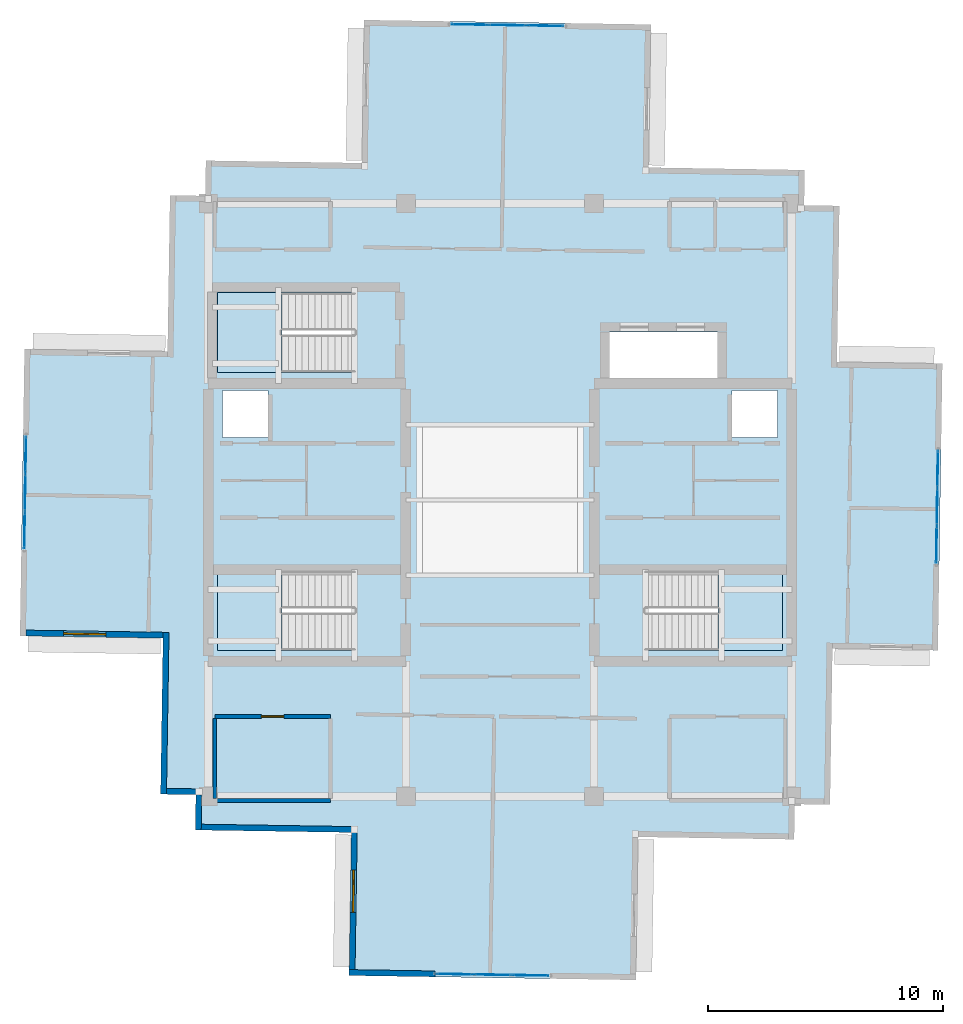
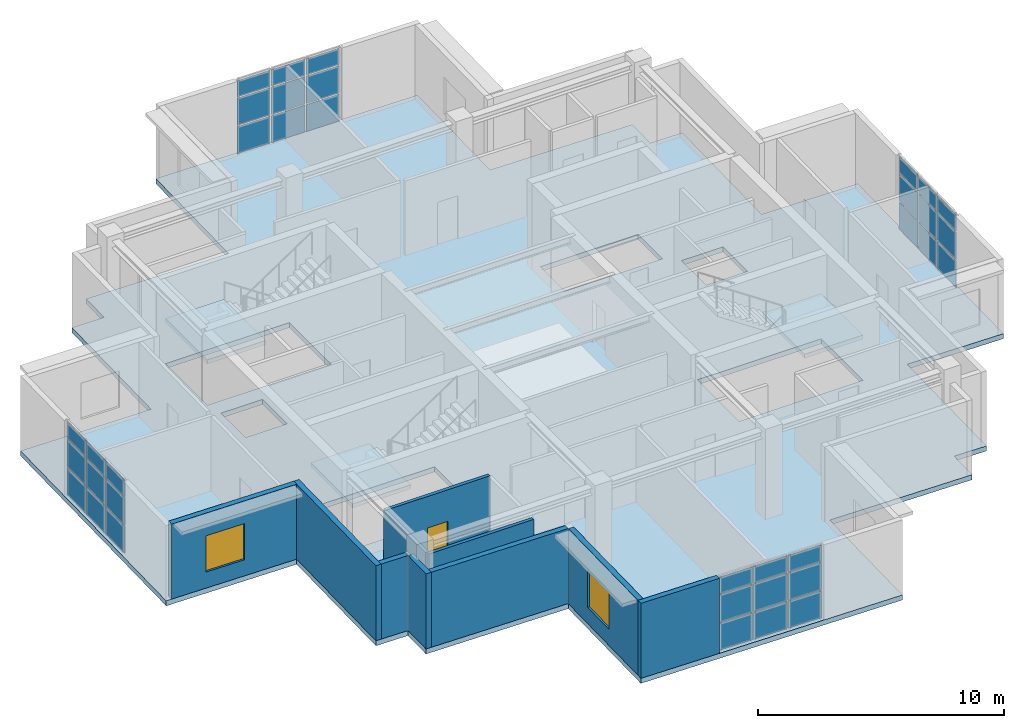
# One storey, part 9 of 15: 36 plates, 10 walls, 4 slabs, 2 windows, 1 door, 3 openings, 7 elements without a shape of their own.
"""IFC4 building model written with IfcOpenShell, lengths in metres."""

from ifc_helpers import new_model, si_unit, direction, frame, frame_2d, origin, origin_2d, place, context, subcontext, project, spatial, polyline, rectangle, outline, extrude, material, layer, layer_set, type_object, element, fill, aggregate, save


model = new_model("IFC4")

# Units and contexts
model_context = context("Model", 3, precision=1e-05, world=origin(), true_north=direction((0.0, 1.0)))
body_context = subcontext(model_context, "Body", "Model", "MODEL_VIEW")
ifc_project = project(units=[si_unit("LENGTHUNIT", "METRE"), si_unit("AREAUNIT", "SQUARE_METRE"), si_unit("VOLUMEUNIT", "CUBIC_METRE"), si_unit("PLANEANGLEUNIT", "RADIAN"), si_unit("MASSUNIT", "GRAM", prefix="KILO")], contexts=[model_context])

# Site, building, storey
site_placement = place(None, origin())
site = spatial("IfcSite", under=ifc_project, at=site_placement, CompositionType="ELEMENT")
building_placement = place(site_placement, origin())
building = spatial("IfcBuilding", under=site, at=building_placement, Name="Qingluan Cross Belvedere", CompositionType="ELEMENT")
storey_placement = place(building_placement, frame((0.0, 0.0, 312.89990234375)))
storey = spatial("IfcBuildingStorey", under=building, at=storey_placement, Name="L77", CompositionType="ELEMENT", Elevation=312.89990234375)

# Curtain wall, plates
ifc_material_1 = material(Name="Thermally broken aluminium and Low-E glass", Category="aluminium")
ifc_layer_1 = layer(ifc_material_1, 0.219970703125, Name="ObservationCW_BelvedereDeck")
ifc_layer_set_1 = layer_set([ifc_layer_1], Name="Thermally broken aluminium and Low-E glass")
curtain_wall_type = type_object("IfcCurtainWallType", Name="ObservationCW_BelvedereDeck", PredefinedType="USERDEFINED", material=ifc_layer_set_1)
curtain_wall_1_placement = place(storey_placement, origin())
curtain_wall_1 = element("IfcCurtainWall", 1, at=curtain_wall_1_placement, inside=storey, type_object=curtain_wall_type, Name="ObservationCW_BelvedereDeck run env:cw:L77:E", ObjectType="OBSERVATION GLAZING WALL", PredefinedType="USERDEFINED")
ifc_material_2 = material(Name="Triple-silver Low-E insulated glass", Category="glass")
ifc_layer_2 = layer(ifc_material_2, 0.035888671875, Name="CWVisionPanel_36")
ifc_layer_set_2 = layer_set([ifc_layer_2], Name="Triple-silver Low-E insulated glass")
plate_type = type_object("IfcPlateType", Name="CWVisionPanel_36", PredefinedType="CURTAIN_PANEL", material=ifc_layer_set_2)
plate_1_placement = place(storey_placement, frame((18.552490234375, -1.902099609375, 0.06005859375), z_axis=(0.0, 0.0, 1.0), x_axis=(0.015709592504, 0.999876596737, 0.0)))
plate_1 = element("IfcPlate", 2, at=plate_1_placement, type_object=plate_type, Name="CW-C3 panel 1.1", PredefinedType="CURTAIN_PANEL", context=body_context, shape_type="SweptSolid", body=[
    extrude(rectangle(XDim=1.535400390625, YDim=0.028076171875, at=origin_2d()), origin(), (0.0, 0.0, 1.0), 1.326904296875),
])
plate_2_placement = place(storey_placement, frame((18.552490234375, -1.902099609375, 1.447021484375), z_axis=(0.0, 0.0, 1.0), x_axis=(0.015709592504, 0.999876596737, 0.0)))
plate_2 = element("IfcPlate", 3, at=plate_2_placement, type_object=plate_type, Name="CW-C3 panel 1.2", PredefinedType="CURTAIN_PANEL", context=body_context, shape_type="SweptSolid", body=[
    extrude(rectangle(XDim=1.535400390625, YDim=0.028076171875, at=origin_2d()), origin(), (0.0, 0.0, 1.0), 1.35791015625),
])
plate_3_placement = place(storey_placement, frame((18.552490234375, -1.902099609375, 2.865234375), z_axis=(0.0, 0.0, 1.0), x_axis=(0.015709592504, 0.999876596737, 0.0)))
plate_3 = element("IfcPlate", 4, at=plate_3_placement, type_object=plate_type, Name="CW-C3 panel 1.3", PredefinedType="CURTAIN_PANEL", context=body_context, shape_type="SweptSolid", body=[
    extrude(rectangle(XDim=1.535400390625, YDim=0.028076171875, at=origin_2d()), origin(), (0.0, 0.0, 1.0), 0.804931640625),
])
plate_4_placement = place(storey_placement, frame((18.57763671875, -0.2919921875, 0.06005859375), z_axis=(0.0, 0.0, 1.0), x_axis=(0.015709592504, 0.999876596737, 0.0)))
plate_4 = element("IfcPlate", 5, at=plate_4_placement, type_object=plate_type, Name="CW-C3 panel 2.1", PredefinedType="CURTAIN_PANEL", context=body_context, shape_type="SweptSolid", body=[
    extrude(rectangle(XDim=1.5654296875, YDim=0.028076171875, at=origin_2d()), origin(), (0.0, 0.0, 1.0), 1.326904296875),
])
plate_5_placement = place(storey_placement, frame((18.57763671875, -0.2919921875, 1.447021484375), z_axis=(0.0, 0.0, 1.0), x_axis=(0.015709592504, 0.999876596737, 0.0)))
plate_5 = element("IfcPlate", 6, at=plate_5_placement, type_object=plate_type, Name="CW-C3 panel 2.2", PredefinedType="CURTAIN_PANEL", context=body_context, shape_type="SweptSolid", body=[
    extrude(rectangle(XDim=1.5654296875, YDim=0.028076171875, at=origin_2d()), origin(), (0.0, 0.0, 1.0), 1.35791015625),
])
plate_6_placement = place(storey_placement, frame((18.57763671875, -0.2919921875, 2.865234375), z_axis=(0.0, 0.0, 1.0), x_axis=(0.015709592504, 0.999876596737, 0.0)))
plate_6 = element("IfcPlate", 7, at=plate_6_placement, type_object=plate_type, Name="CW-C3 panel 2.3", PredefinedType="CURTAIN_PANEL", context=body_context, shape_type="SweptSolid", body=[
    extrude(rectangle(XDim=1.5654296875, YDim=0.028076171875, at=origin_2d()), origin(), (0.0, 0.0, 1.0), 0.804931640625),
])
plate_7_placement = place(storey_placement, frame((18.60302734375, 1.318115234375, 0.06005859375), z_axis=(0.0, 0.0, 1.0), x_axis=(0.015709592504, 0.999876596737, 0.0)))
plate_7 = element("IfcPlate", 8, at=plate_7_placement, type_object=plate_type, Name="CW-C3 panel 3.1", PredefinedType="CURTAIN_PANEL", context=body_context, shape_type="SweptSolid", body=[
    extrude(rectangle(XDim=1.535400390625, YDim=0.028076171875, at=origin_2d()), origin(), (0.0, 0.0, 1.0), 1.326904296875),
])
plate_8_placement = place(storey_placement, frame((18.60302734375, 1.318115234375, 1.447021484375), z_axis=(0.0, 0.0, 1.0), x_axis=(0.015709592504, 0.999876596737, 0.0)))
plate_8 = element("IfcPlate", 9, at=plate_8_placement, type_object=plate_type, Name="CW-C3 panel 3.2", PredefinedType="CURTAIN_PANEL", context=body_context, shape_type="SweptSolid", body=[
    extrude(rectangle(XDim=1.535400390625, YDim=0.028076171875, at=origin_2d()), origin(), (0.0, 0.0, 1.0), 1.35791015625),
])
plate_9_placement = place(storey_placement, frame((18.60302734375, 1.318115234375, 2.865234375), z_axis=(0.0, 0.0, 1.0), x_axis=(0.015709592504, 0.999876596737, 0.0)))
plate_9 = element("IfcPlate", 10, at=plate_9_placement, type_object=plate_type, Name="CW-C3 panel 3.3", PredefinedType="CURTAIN_PANEL", context=body_context, shape_type="SweptSolid", body=[
    extrude(rectangle(XDim=1.535400390625, YDim=0.028076171875, at=origin_2d()), origin(), (0.0, 0.0, 1.0), 0.804931640625),
])
aggregate(curtain_wall_1, [plate_1, plate_2, plate_3, plate_4, plate_5, plate_6, plate_7, plate_8, plate_9])

curtain_wall_2_placement = place(storey_placement, origin())
curtain_wall_2 = element("IfcCurtainWall", 11, at=curtain_wall_2_placement, inside=storey, type_object=curtain_wall_type, Name="ObservationCW_BelvedereDeck run env:cw:L77:N", ObjectType="OBSERVATION GLAZING WALL", PredefinedType="USERDEFINED")
plate_10_placement = place(storey_placement, frame((1.927001953125, 20.152099609375, 0.06005859375), z_axis=(0.0, 0.0, 1.0), x_axis=(-0.999876596737, 0.015709592504, 0.0)))
plate_10 = element("IfcPlate", 12, at=plate_10_placement, type_object=plate_type, Name="CW-C3 panel 1.1", PredefinedType="CURTAIN_PANEL", context=body_context, shape_type="SweptSolid", body=[
    extrude(rectangle(XDim=1.535400390625, YDim=0.028076171875, at=origin_2d()), origin(), (0.0, 0.0, 1.0), 1.326904296875),
])
plate_11_placement = place(storey_placement, frame((1.927001953125, 20.152099609375, 1.447021484375), z_axis=(0.0, 0.0, 1.0), x_axis=(-0.999876596737, 0.015709592504, 0.0)))
plate_11 = element("IfcPlate", 13, at=plate_11_placement, type_object=plate_type, Name="CW-C3 panel 1.2", PredefinedType="CURTAIN_PANEL", context=body_context, shape_type="SweptSolid", body=[
    extrude(rectangle(XDim=1.535400390625, YDim=0.028076171875, at=origin_2d()), origin(), (0.0, 0.0, 1.0), 1.35791015625),
])
plate_12_placement = place(storey_placement, frame((1.927001953125, 20.152099609375, 2.865234375), z_axis=(0.0, 0.0, 1.0), x_axis=(-0.999876596737, 0.015709592504, 0.0)))
plate_12 = element("IfcPlate", 14, at=plate_12_placement, type_object=plate_type, Name="CW-C3 panel 1.3", PredefinedType="CURTAIN_PANEL", context=body_context, shape_type="SweptSolid", body=[
    extrude(rectangle(XDim=1.535400390625, YDim=0.028076171875, at=origin_2d()), origin(), (0.0, 0.0, 1.0), 0.804931640625),
])
plate_13_placement = place(storey_placement, frame((0.31689453125, 20.177490234375, 0.06005859375), z_axis=(0.0, 0.0, 1.0), x_axis=(-0.999876596737, 0.015709592504, 0.0)))
plate_13 = element("IfcPlate", 15, at=plate_13_placement, type_object=plate_type, Name="CW-C3 panel 2.1", PredefinedType="CURTAIN_PANEL", context=body_context, shape_type="SweptSolid", body=[
    extrude(rectangle(XDim=1.5654296875, YDim=0.028076171875, at=origin_2d()), origin(), (0.0, 0.0, 1.0), 1.326904296875),
])
plate_14_placement = place(storey_placement, frame((0.31689453125, 20.177490234375, 1.447021484375), z_axis=(0.0, 0.0, 1.0), x_axis=(-0.999876596737, 0.015709592504, 0.0)))
plate_14 = element("IfcPlate", 16, at=plate_14_placement, type_object=plate_type, Name="CW-C3 panel 2.2", PredefinedType="CURTAIN_PANEL", context=body_context, shape_type="SweptSolid", body=[
    extrude(rectangle(XDim=1.5654296875, YDim=0.028076171875, at=origin_2d()), origin(), (0.0, 0.0, 1.0), 1.35791015625),
])
plate_15_placement = place(storey_placement, frame((0.31689453125, 20.177490234375, 2.865234375), z_axis=(0.0, 0.0, 1.0), x_axis=(-0.999876596737, 0.015709592504, 0.0)))
plate_15 = element("IfcPlate", 17, at=plate_15_placement, type_object=plate_type, Name="CW-C3 panel 2.3", PredefinedType="CURTAIN_PANEL", context=body_context, shape_type="SweptSolid", body=[
    extrude(rectangle(XDim=1.5654296875, YDim=0.028076171875, at=origin_2d()), origin(), (0.0, 0.0, 1.0), 0.804931640625),
])
plate_16_placement = place(storey_placement, frame((-1.293212890625, 20.202880859375, 0.06005859375), z_axis=(0.0, 0.0, 1.0), x_axis=(-0.999876596737, 0.015709592504, 0.0)))
plate_16 = element("IfcPlate", 18, at=plate_16_placement, type_object=plate_type, Name="CW-C3 panel 3.1", PredefinedType="CURTAIN_PANEL", context=body_context, shape_type="SweptSolid", body=[
    extrude(rectangle(XDim=1.535400390625, YDim=0.028076171875, at=origin_2d()), origin(), (0.0, 0.0, 1.0), 1.326904296875),
])
plate_17_placement = place(storey_placement, frame((-1.293212890625, 20.202880859375, 1.447021484375), z_axis=(0.0, 0.0, 1.0), x_axis=(-0.999876596737, 0.015709592504, 0.0)))
plate_17 = element("IfcPlate", 19, at=plate_17_placement, type_object=plate_type, Name="CW-C3 panel 3.2", PredefinedType="CURTAIN_PANEL", context=body_context, shape_type="SweptSolid", body=[
    extrude(rectangle(XDim=1.535400390625, YDim=0.028076171875, at=origin_2d()), origin(), (0.0, 0.0, 1.0), 1.35791015625),
])
plate_18_placement = place(storey_placement, frame((-1.293212890625, 20.202880859375, 2.865234375), z_axis=(0.0, 0.0, 1.0), x_axis=(-0.999876596737, 0.015709592504, 0.0)))
plate_18 = element("IfcPlate", 20, at=plate_18_placement, type_object=plate_type, Name="CW-C3 panel 3.3", PredefinedType="CURTAIN_PANEL", context=body_context, shape_type="SweptSolid", body=[
    extrude(rectangle(XDim=1.535400390625, YDim=0.028076171875, at=origin_2d()), origin(), (0.0, 0.0, 1.0), 0.804931640625),
])
aggregate(curtain_wall_2, [plate_10, plate_11, plate_12, plate_13, plate_14, plate_15, plate_16, plate_17, plate_18])

curtain_wall_3_placement = place(storey_placement, origin())
curtain_wall_3 = element("IfcCurtainWall", 21, at=curtain_wall_3_placement, inside=storey, type_object=curtain_wall_type, Name="ObservationCW_BelvedereDeck run env:cw:L77:W", ObjectType="OBSERVATION GLAZING WALL", PredefinedType="USERDEFINED")
plate_19_placement = place(storey_placement, frame((-20.152099609375, 1.927001953125, 0.06005859375), z_axis=(0.0, 0.0, 1.0), x_axis=(-0.015709592504, -0.999876596737, 0.0)))
plate_19 = element("IfcPlate", 22, at=plate_19_placement, type_object=plate_type, Name="CW-C3 panel 1.1", PredefinedType="CURTAIN_PANEL", context=body_context, shape_type="SweptSolid", body=[
    extrude(rectangle(XDim=1.535400390625, YDim=0.028076171875, at=origin_2d()), origin(), (0.0, 0.0, 1.0), 1.326904296875),
])
plate_20_placement = place(storey_placement, frame((-20.152099609375, 1.927001953125, 1.447021484375), z_axis=(0.0, 0.0, 1.0), x_axis=(-0.015709592504, -0.999876596737, 0.0)))
plate_20 = element("IfcPlate", 23, at=plate_20_placement, type_object=plate_type, Name="CW-C3 panel 1.2", PredefinedType="CURTAIN_PANEL", context=body_context, shape_type="SweptSolid", body=[
    extrude(rectangle(XDim=1.535400390625, YDim=0.028076171875, at=origin_2d()), origin(), (0.0, 0.0, 1.0), 1.35791015625),
])
plate_21_placement = place(storey_placement, frame((-20.152099609375, 1.927001953125, 2.865234375), z_axis=(0.0, 0.0, 1.0), x_axis=(-0.015709592504, -0.999876596737, 0.0)))
plate_21 = element("IfcPlate", 24, at=plate_21_placement, type_object=plate_type, Name="CW-C3 panel 1.3", PredefinedType="CURTAIN_PANEL", context=body_context, shape_type="SweptSolid", body=[
    extrude(rectangle(XDim=1.535400390625, YDim=0.028076171875, at=origin_2d()), origin(), (0.0, 0.0, 1.0), 0.804931640625),
])
plate_22_placement = place(storey_placement, frame((-20.177490234375, 0.31689453125, 0.06005859375), z_axis=(0.0, 0.0, 1.0), x_axis=(-0.015709592504, -0.999876596737, 0.0)))
plate_22 = element("IfcPlate", 25, at=plate_22_placement, type_object=plate_type, Name="CW-C3 panel 2.1", PredefinedType="CURTAIN_PANEL", context=body_context, shape_type="SweptSolid", body=[
    extrude(rectangle(XDim=1.5654296875, YDim=0.028076171875, at=origin_2d()), origin(), (0.0, 0.0, 1.0), 1.326904296875),
])
plate_23_placement = place(storey_placement, frame((-20.177490234375, 0.31689453125, 1.447021484375), z_axis=(0.0, 0.0, 1.0), x_axis=(-0.015709592504, -0.999876596737, 0.0)))
plate_23 = element("IfcPlate", 26, at=plate_23_placement, type_object=plate_type, Name="CW-C3 panel 2.2", PredefinedType="CURTAIN_PANEL", context=body_context, shape_type="SweptSolid", body=[
    extrude(rectangle(XDim=1.5654296875, YDim=0.028076171875, at=origin_2d()), origin(), (0.0, 0.0, 1.0), 1.35791015625),
])
plate_24_placement = place(storey_placement, frame((-20.177490234375, 0.31689453125, 2.865234375), z_axis=(0.0, 0.0, 1.0), x_axis=(-0.015709592504, -0.999876596737, 0.0)))
plate_24 = element("IfcPlate", 27, at=plate_24_placement, type_object=plate_type, Name="CW-C3 panel 2.3", PredefinedType="CURTAIN_PANEL", context=body_context, shape_type="SweptSolid", body=[
    extrude(rectangle(XDim=1.5654296875, YDim=0.028076171875, at=origin_2d()), origin(), (0.0, 0.0, 1.0), 0.804931640625),
])
plate_25_placement = place(storey_placement, frame((-20.202880859375, -1.293212890625, 0.06005859375), z_axis=(0.0, 0.0, 1.0), x_axis=(-0.015709592504, -0.999876596737, 0.0)))
plate_25 = element("IfcPlate", 28, at=plate_25_placement, type_object=plate_type, Name="CW-C3 panel 3.1", PredefinedType="CURTAIN_PANEL", context=body_context, shape_type="SweptSolid", body=[
    extrude(rectangle(XDim=1.535400390625, YDim=0.028076171875, at=origin_2d()), origin(), (0.0, 0.0, 1.0), 1.326904296875),
])
plate_26_placement = place(storey_placement, frame((-20.202880859375, -1.293212890625, 1.447021484375), z_axis=(0.0, 0.0, 1.0), x_axis=(-0.015709592504, -0.999876596737, 0.0)))
plate_26 = element("IfcPlate", 29, at=plate_26_placement, type_object=plate_type, Name="CW-C3 panel 3.2", PredefinedType="CURTAIN_PANEL", context=body_context, shape_type="SweptSolid", body=[
    extrude(rectangle(XDim=1.535400390625, YDim=0.028076171875, at=origin_2d()), origin(), (0.0, 0.0, 1.0), 1.35791015625),
])
plate_27_placement = place(storey_placement, frame((-20.202880859375, -1.293212890625, 2.865234375), z_axis=(0.0, 0.0, 1.0), x_axis=(-0.015709592504, -0.999876596737, 0.0)))
plate_27 = element("IfcPlate", 30, at=plate_27_placement, type_object=plate_type, Name="CW-C3 panel 3.3", PredefinedType="CURTAIN_PANEL", context=body_context, shape_type="SweptSolid", body=[
    extrude(rectangle(XDim=1.535400390625, YDim=0.028076171875, at=origin_2d()), origin(), (0.0, 0.0, 1.0), 0.804931640625),
])
aggregate(curtain_wall_3, [plate_19, plate_20, plate_21, plate_22, plate_23, plate_24, plate_25, plate_26, plate_27])

curtain_wall_4_placement = place(storey_placement, origin())
curtain_wall_4 = element("IfcCurtainWall", 31, at=curtain_wall_4_placement, inside=storey, type_object=curtain_wall_type, Name="ObservationCW_BelvedereDeck run env:cw:L77:S", ObjectType="OBSERVATION GLAZING WALL", PredefinedType="USERDEFINED")
plate_28_placement = place(storey_placement, frame((-1.927001953125, -20.152099609375, 0.06005859375), z_axis=(0.0, 0.0, 1.0), x_axis=(0.999876596737, -0.015709592504, 0.0)))
plate_28 = element("IfcPlate", 32, at=plate_28_placement, type_object=plate_type, Name="CW-C3 panel 1.1", PredefinedType="CURTAIN_PANEL", context=body_context, shape_type="SweptSolid", body=[
    extrude(rectangle(XDim=1.535400390625, YDim=0.028076171875, at=origin_2d()), origin(), (0.0, 0.0, 1.0), 1.326904296875),
])
plate_29_placement = place(storey_placement, frame((-1.927001953125, -20.152099609375, 1.447021484375), z_axis=(0.0, 0.0, 1.0), x_axis=(0.999876596737, -0.015709592504, 0.0)))
plate_29 = element("IfcPlate", 33, at=plate_29_placement, type_object=plate_type, Name="CW-C3 panel 1.2", PredefinedType="CURTAIN_PANEL", context=body_context, shape_type="SweptSolid", body=[
    extrude(rectangle(XDim=1.535400390625, YDim=0.028076171875, at=origin_2d()), origin(), (0.0, 0.0, 1.0), 1.35791015625),
])
plate_30_placement = place(storey_placement, frame((-1.927001953125, -20.152099609375, 2.865234375), z_axis=(0.0, 0.0, 1.0), x_axis=(0.999876596737, -0.015709592504, 0.0)))
plate_30 = element("IfcPlate", 34, at=plate_30_placement, type_object=plate_type, Name="CW-C3 panel 1.3", PredefinedType="CURTAIN_PANEL", context=body_context, shape_type="SweptSolid", body=[
    extrude(rectangle(XDim=1.535400390625, YDim=0.028076171875, at=origin_2d()), origin(), (0.0, 0.0, 1.0), 0.804931640625),
])
plate_31_placement = place(storey_placement, frame((-0.31689453125, -20.177490234375, 0.06005859375), z_axis=(0.0, 0.0, 1.0), x_axis=(0.999876596737, -0.015709592504, 0.0)))
plate_31 = element("IfcPlate", 35, at=plate_31_placement, type_object=plate_type, Name="CW-C3 panel 2.1", PredefinedType="CURTAIN_PANEL", context=body_context, shape_type="SweptSolid", body=[
    extrude(rectangle(XDim=1.5654296875, YDim=0.028076171875, at=origin_2d()), origin(), (0.0, 0.0, 1.0), 1.326904296875),
])
plate_32_placement = place(storey_placement, frame((-0.31689453125, -20.177490234375, 1.447021484375), z_axis=(0.0, 0.0, 1.0), x_axis=(0.999876596737, -0.015709592504, 0.0)))
plate_32 = element("IfcPlate", 36, at=plate_32_placement, type_object=plate_type, Name="CW-C3 panel 2.2", PredefinedType="CURTAIN_PANEL", context=body_context, shape_type="SweptSolid", body=[
    extrude(rectangle(XDim=1.5654296875, YDim=0.028076171875, at=origin_2d()), origin(), (0.0, 0.0, 1.0), 1.35791015625),
])
plate_33_placement = place(storey_placement, frame((-0.31689453125, -20.177490234375, 2.865234375), z_axis=(0.0, 0.0, 1.0), x_axis=(0.999876596737, -0.015709592504, 0.0)))
plate_33 = element("IfcPlate", 37, at=plate_33_placement, type_object=plate_type, Name="CW-C3 panel 2.3", PredefinedType="CURTAIN_PANEL", context=body_context, shape_type="SweptSolid", body=[
    extrude(rectangle(XDim=1.5654296875, YDim=0.028076171875, at=origin_2d()), origin(), (0.0, 0.0, 1.0), 0.804931640625),
])
plate_34_placement = place(storey_placement, frame((1.293212890625, -20.202880859375, 0.06005859375), z_axis=(0.0, 0.0, 1.0), x_axis=(0.999876596737, -0.015709592504, 0.0)))
plate_34 = element("IfcPlate", 38, at=plate_34_placement, type_object=plate_type, Name="CW-C3 panel 3.1", PredefinedType="CURTAIN_PANEL", context=body_context, shape_type="SweptSolid", body=[
    extrude(rectangle(XDim=1.535400390625, YDim=0.028076171875, at=origin_2d()), origin(), (0.0, 0.0, 1.0), 1.326904296875),
])
plate_35_placement = place(storey_placement, frame((1.293212890625, -20.202880859375, 1.447021484375), z_axis=(0.0, 0.0, 1.0), x_axis=(0.999876596737, -0.015709592504, 0.0)))
plate_35 = element("IfcPlate", 39, at=plate_35_placement, type_object=plate_type, Name="CW-C3 panel 3.2", PredefinedType="CURTAIN_PANEL", context=body_context, shape_type="SweptSolid", body=[
    extrude(rectangle(XDim=1.535400390625, YDim=0.028076171875, at=origin_2d()), origin(), (0.0, 0.0, 1.0), 1.35791015625),
])
plate_36_placement = place(storey_placement, frame((1.293212890625, -20.202880859375, 2.865234375), z_axis=(0.0, 0.0, 1.0), x_axis=(0.999876596737, -0.015709592504, 0.0)))
plate_36 = element("IfcPlate", 40, at=plate_36_placement, type_object=plate_type, Name="CW-C3 panel 3.3", PredefinedType="CURTAIN_PANEL", context=body_context, shape_type="SweptSolid", body=[
    extrude(rectangle(XDim=1.535400390625, YDim=0.028076171875, at=origin_2d()), origin(), (0.0, 0.0, 1.0), 0.804931640625),
])
aggregate(curtain_wall_4, [plate_28, plate_29, plate_30, plate_31, plate_32, plate_33, plate_34, plate_35, plate_36])

# Slab
ifc_material_3 = material(Name="Concrete C40", Category="concrete")
ifc_layer_3 = layer(ifc_material_3, 0.25, Name="FloorSlab_250")
ifc_layer_set_3 = layer_set([ifc_layer_3], Name="Concrete C40")
slab_type_1 = type_object("IfcSlabType", Name="FloorSlab_250", PredefinedType="FLOOR", material=ifc_layer_set_3)
slab_1_placement = place(storey_placement, frame((0.0, 0.0, -0.25)))
element("IfcSlab", 41, at=slab_1_placement, inside=storey, type_object=slab_type_1, Name="Structural floor slab L77", PredefinedType="FLOOR", context=body_context, shape_type="SweptSolid", body=[
    extrude(outline(polyline([(5.775390625, -20.398193359375), (5.870849609375, -14.319091796875), (12.5, -14.423095703125), (12.523681640625, -12.92333984375), (14.0234375, -12.947021484375), (14.12744140625, -6.317626953125), (18.60693359375, -6.38818359375), (18.79833984375, 5.80029296875), (14.319091796875, 5.870849609375), (14.423095703125, 12.5), (12.92333984375, 12.523681640625), (12.947021484375, 14.0234375), (6.317626953125, 14.12744140625), (6.4130859375, 20.206787109375), (-5.775390625, 20.398193359375), (-5.870849609375, 14.319091796875), (-12.5, 14.423095703125), (-12.523681640625, 12.92333984375), (-14.0234375, 12.947021484375), (-14.12744140625, 6.317626953125), (-20.206787109375, 6.4130859375), (-20.398193359375, -5.775390625), (-14.319091796875, -5.870849609375), (-14.423095703125, -12.5), (-12.92333984375, -12.523681640625), (-12.947021484375, -14.0234375), (-6.317626953125, -14.12744140625), (-6.4130859375, -20.206787109375), (5.775390625, -20.398193359375)]), holes=[polyline([(-12.0, -3.0), (-6.179931640625, -3.0), (-6.179931640625, -6.39990234375), (-12.0, -6.39990234375), (-12.0, -3.0)]), polyline([(6.179931640625, -3.0), (12.0, -3.0), (12.0, -6.39990234375), (6.179931640625, -6.39990234375), (6.179931640625, -3.0)]), polyline([(-12.0, 8.820068359375), (-6.179931640625, 8.820068359375), (-6.179931640625, 5.419921875), (-12.0, 5.419921875), (-12.0, 8.820068359375)]), polyline([(-11.800048828125, 4.64990234375), (-9.85009765625, 4.64990234375), (-9.85009765625, 2.64990234375), (-11.800048828125, 2.64990234375), (-11.800048828125, 4.64990234375)]), polyline([(9.85009765625, 4.64990234375), (11.800048828125, 4.64990234375), (11.800048828125, 2.64990234375), (9.85009765625, 2.64990234375), (9.85009765625, 4.64990234375)]), polyline([(4.64990234375, 7.14990234375), (9.25, 7.14990234375), (9.25, 5.14990234375), (4.64990234375, 5.14990234375), (4.64990234375, 7.14990234375)])]), origin(), (0.0, 0.0, 1.0), 0.25),
])

# Stair, slab
ifc_material_4 = material(Name="Concrete C40", Category="concrete")
stair_type = type_object("IfcStairType", Name="CoreDoglegStair_1620", PredefinedType="HALF_TURN_STAIR", material=ifc_material_4)
stair_1_placement = place(storey_placement, origin())
stair_1 = element("IfcStair", 42, at=stair_1_placement, inside=storey, type_object=stair_type, Name="L77 ST1", PredefinedType="HALF_TURN_STAIR")
ifc_material_5 = material(Name="Concrete C40", Category="concrete")
ifc_layer_4 = layer(ifc_material_5, 0.179931640625, Name="StairLandingSlab_180")
ifc_layer_set_4 = layer_set([ifc_layer_4], Name="Concrete C40")
slab_type_2 = type_object("IfcSlabType", Name="StairLandingSlab_180", PredefinedType="LANDING", material=ifc_layer_set_4)
slab_2_placement = place(storey_placement, frame((0.0, 0.0, 2.050048828125)))
slab_2 = element("IfcSlab", 43, at=slab_2_placement, type_object=slab_type_2, Name="ST1 landing 1", PredefinedType="LANDING", context=body_context, shape_type="SweptSolid", body=[
    extrude(outline(polyline([(-9.260009765625, -3.0), (-12.0, -3.0), (-12.0, -6.39990234375), (-9.260009765625, -6.39990234375), (-9.260009765625, -3.0)])), origin(), (0.0, 0.0, 1.0), 0.199951171875),
])
aggregate(stair_1, [slab_2])

stair_2_placement = place(storey_placement, origin())
stair_2 = element("IfcStair", 44, at=stair_2_placement, inside=storey, type_object=stair_type, Name="L77 ST2", PredefinedType="HALF_TURN_STAIR")
slab_3_placement = place(storey_placement, frame((0.0, 0.0, 2.050048828125)))
slab_3 = element("IfcSlab", 45, at=slab_3_placement, type_object=slab_type_2, Name="ST2 landing 1", PredefinedType="LANDING", context=body_context, shape_type="SweptSolid", body=[
    extrude(outline(polyline([(9.260009765625, -6.39990234375), (12.0, -6.39990234375), (12.0, -3.0), (9.260009765625, -3.0), (9.260009765625, -6.39990234375)])), origin(), (0.0, 0.0, 1.0), 0.199951171875),
])
aggregate(stair_2, [slab_3])

stair_3_placement = place(storey_placement, origin())
stair_3 = element("IfcStair", 46, at=stair_3_placement, inside=storey, type_object=stair_type, Name="L77 ST3", PredefinedType="HALF_TURN_STAIR")
slab_4_placement = place(storey_placement, frame((0.0, 0.0, 2.050048828125)))
slab_4 = element("IfcSlab", 47, at=slab_4_placement, type_object=slab_type_2, Name="ST3 landing 1", PredefinedType="LANDING", context=body_context, shape_type="SweptSolid", body=[
    extrude(outline(polyline([(-9.260009765625, 8.820068359375), (-12.0, 8.820068359375), (-12.0, 5.419921875), (-9.260009765625, 5.419921875), (-9.260009765625, 8.820068359375)])), origin(), (0.0, 0.0, 1.0), 0.199951171875),
])
aggregate(stair_3, [slab_4])

# Wall
ifc_material_6 = material(Name="Gypsum plasterboard on steel stud acoustic partition", Category="steel")
ifc_layer_5 = layer(ifc_material_6, 0.159912109375, Name="CorridorPartition_160")
ifc_layer_set_5 = layer_set([ifc_layer_5], Name="Gypsum plasterboard on steel stud acoustic partition")
wall_type_1 = type_object("IfcWallType", Name="CorridorPartition_160", PredefinedType="PARTITIONING", material=ifc_layer_set_5)
wall_1_placement = place(storey_placement, frame((-12.1201171875, -12.77001953125, 0.0), z_axis=(0.0, 0.0, 1.0), x_axis=(1.0, 0.0, 0.0)))
element("IfcWall", 48, at=wall_1_placement, inside=storey, type_object=wall_type_1, Name="Partition L77:crown_sw:S", PredefinedType="PARTITIONING", context=body_context, shape_type="SweptSolid", body=[
    extrude(rectangle(XDim=4.920166015625, YDim=0.159912109375, at=frame_2d((2.4599609375, 0.0))), origin(), (0.0, 0.0, 1.0), 3.72021484375),
])

# Wall, opening, door
wall_2_placement = place(storey_placement, frame((-12.1201171875, -9.199951171875, 0.0), z_axis=(0.0, 0.0, 1.0), x_axis=(1.0, 0.0, 0.0)))
wall_2 = element("IfcWall", 49, at=wall_2_placement, inside=storey, type_object=wall_type_1, Name="Partition L77:crown_sw:N", PredefinedType="PARTITIONING", context=body_context, shape_type="SweptSolid", body=[
    extrude(rectangle(XDim=4.920166015625, YDim=0.159912109375, at=frame_2d((2.4599609375, 0.0))), origin(), (0.0, 0.0, 1.0), 3.72021484375),
])
opening_1_placement = place(wall_2_placement, frame((1.97998046875, 0.0, 0.0)))
opening_1 = element("IfcOpeningElement", 50, at=opening_1_placement, cuts=wall_2, Name="Opening GD-10", PredefinedType="OPENING", context=body_context, shape_type="SweptSolid", body=[
    extrude(rectangle(XDim=0.9599609375, YDim=2.14990234375, at=frame_2d((0.47998046875, 1.074951171875))), frame((0.0, 0.08984375, 0.0), z_axis=(0.0, -1.0, 0.0), x_axis=(1.0, 0.0, 0.0)), (0.0, 0.0, 1.0), 0.179931640625),
])
ifc_material_7 = material(Name="Timber oak fire-rated acoustic guestroom door", Category="wood")
door_type = type_object("IfcDoorType", Name="GuestEntryDoor_FD60", OperationType="NOTDEFINED", PredefinedType="DOOR", material=ifc_material_7)
door_placement = place(opening_1_placement, origin())
door = element("IfcDoor", 51, at=door_placement, inside=storey, type_object=door_type, Name="Southwest sunset lounge L77 door", OperationType="SINGLE_SWING_LEFT", OverallHeight=2.14990234375, OverallWidth=0.9599609375, PredefinedType="DOOR", context=body_context, shape_type="SweptSolid", body=[
    extrude(rectangle(XDim=0.9599609375, YDim=2.14990234375, at=frame_2d((0.47998046875, 1.074951171875))), frame((0.0, 0.02490234375, 0.0), z_axis=(0.0, -1.0, 0.0), x_axis=(1.0, 0.0, 0.0)), (0.0, 0.0, 1.0), 0.050048828125),
])
fill(opening_1, door)

# Wall
wall_3_placement = place(storey_placement, frame((-12.1201171875, -12.68505859375, 0.0), z_axis=(0.0, 0.0, 1.0), x_axis=(0.0, 1.0, 0.0)))
element("IfcWall", 52, at=wall_3_placement, inside=storey, type_object=wall_type_1, Name="Partition L77:crown_sw:W", PredefinedType="PARTITIONING", context=body_context, shape_type="SweptSolid", body=[
    extrude(rectangle(XDim=3.400146484375, YDim=0.159912109375, at=frame_2d((1.7001953125, 0.0))), origin(), (0.0, 0.0, 1.0), 3.72021484375),
])

# Wall, opening, window
ifc_material_8 = material(Name="Precast concrete C45", Category="concrete")
ifc_layer_6 = layer(ifc_material_8, 0.25, Name="PrecastCrownWall_250")
ifc_layer_set_6 = layer_set([ifc_layer_6], Name="Precast concrete C45")
wall_type_2 = type_object("IfcWallType", Name="PrecastCrownWall_250", PredefinedType="STANDARD", material=ifc_layer_set_6)
wall_4_placement = place(storey_placement, frame((-20.146240234375, -5.654296875, 0.0), z_axis=(0.0, 0.0, 1.0), x_axis=(0.999876691593, -0.01570355402, 0.0)))
wall_4 = element("IfcWall", 53, at=wall_4_placement, inside=storey, type_object=wall_type_2, Name="Facade wall L77-WB", PredefinedType="STANDARD", context=body_context, shape_type="SweptSolid", body=[
    extrude(rectangle(XDim=5.830078125, YDim=0.25, at=frame_2d((2.9150390625, 0.0))), origin(), (0.0, 0.0, 1.0), 3.72998046875),
])
opening_2_placement = place(wall_4_placement, frame((1.60009765625, 0.0, 0.800048828125)))
opening_2 = element("IfcOpeningElement", 54, at=opening_2_placement, cuts=wall_4, Name="Opening W-05", PredefinedType="OPENING", context=body_context, shape_type="SweptSolid", body=[
    extrude(rectangle(XDim=1.800048828125, YDim=1.800048828125, at=frame_2d((0.89990234375, 0.89990234375))), frame((0.0, 0.135009765625, 0.0), z_axis=(0.0, -1.0, 0.0), x_axis=(1.0, 0.0, 0.0)), (0.0, 0.0, 1.0), 0.27001953125),
])
ifc_material_9 = material(Name="Thermally broken triple Low-E glass in aluminium frame", Category="aluminium")
window_type = type_object("IfcWindowType", Name="CrownBelvedereWin_1800x1800", PartitioningType="SINGLE_PANEL", PredefinedType="WINDOW", material=ifc_material_9)
window_1_placement = place(opening_2_placement, origin())
window_1 = element("IfcWindow", 55, at=window_1_placement, inside=storey, type_object=window_type, Name="Ribbon window L77-WB-1", OverallHeight=1.800048828125, OverallWidth=1.800048828125, PartitioningType="SINGLE_PANEL", PredefinedType="WINDOW", context=body_context, shape_type="SweptSolid", body=[
    extrude(rectangle(XDim=1.800048828125, YDim=1.800048828125, at=frame_2d((0.89990234375, 0.89990234375))), frame((0.0, 0.030029296875, 0.0), z_axis=(0.0, -1.0, 0.0), x_axis=(1.0, 0.0, 0.0)), (0.0, 0.0, 1.0), 0.06005859375),
])
fill(opening_2, window_1)

wall_5_placement = place(storey_placement, frame((-6.192626953125, -14.12939453125, 0.0), z_axis=(0.0, 0.0, 1.0), x_axis=(-0.01570355402, -0.999876691593, 0.0)))
wall_5 = element("IfcWall", 56, at=wall_5_placement, inside=storey, type_object=wall_type_2, Name="Facade wall L77-SA", PredefinedType="STANDARD", context=body_context, shape_type="SweptSolid", body=[
    extrude(rectangle(XDim=5.830078125, YDim=0.25, at=frame_2d((2.9150390625, 0.0))), origin(), (0.0, 0.0, 1.0), 3.72998046875),
])
opening_3_placement = place(wall_5_placement, frame((1.60009765625, 0.0, 0.800048828125)))
opening_3 = element("IfcOpeningElement", 57, at=opening_3_placement, cuts=wall_5, Name="Opening W-05", PredefinedType="OPENING", context=body_context, shape_type="SweptSolid", body=[
    extrude(rectangle(XDim=1.800048828125, YDim=1.800048828125, at=frame_2d((0.89990234375, 0.89990234375))), frame((0.0, 0.135009765625, 0.0), z_axis=(0.0, -1.0, 0.0), x_axis=(1.0, 0.0, 0.0)), (0.0, 0.0, 1.0), 0.27001953125),
])
window_2_placement = place(opening_3_placement, origin())
window_2 = element("IfcWindow", 58, at=window_2_placement, inside=storey, type_object=window_type, Name="Ribbon window L77-SA-1", OverallHeight=1.800048828125, OverallWidth=1.800048828125, PartitioningType="SINGLE_PANEL", PredefinedType="WINDOW", context=body_context, shape_type="SweptSolid", body=[
    extrude(rectangle(XDim=1.800048828125, YDim=1.800048828125, at=frame_2d((0.89990234375, 0.89990234375))), frame((0.0, 0.030029296875, 0.0), z_axis=(0.0, -1.0, 0.0), x_axis=(1.0, 0.0, 0.0)), (0.0, 0.0, 1.0), 0.06005859375),
])
fill(opening_3, window_2)

# Walls
wall_6_placement = place(storey_placement, frame((-6.4111328125, -20.081787109375, 0.0), z_axis=(0.0, 0.0, 1.0), x_axis=(0.999876923288, -0.015688794617, 0.0)))
element("IfcWall", 59, at=wall_6_placement, inside=storey, type_object=wall_type_2, Name="Terrace portal jamb wall L77-S1", PredefinedType="STANDARD", context=body_context, shape_type="SweptSolid", body=[
    extrude(rectangle(XDim=3.656982421875, YDim=0.25, at=frame_2d((1.82861328125, 0.0))), origin(), (0.0, 0.0, 1.0), 3.72998046875),
])
wall_7_placement = place(storey_placement, frame((-14.190185546875, -5.622802734375, 0.0), z_axis=(0.0, 0.0, 1.0), x_axis=(-0.015684623239, -0.999876988731, 0.0)))
element("IfcWall", 60, at=wall_7_placement, inside=storey, type_object=wall_type_2, Name="Corner wall L77-SW1", PredefinedType="STANDARD", context=body_context, shape_type="SweptSolid", body=[
    extrude(rectangle(XDim=6.8798828125, YDim=0.25, at=frame_2d((3.43994140625, 0.0))), origin(), (0.0, 0.0, 1.0), 3.72998046875),
])
wall_8_placement = place(storey_placement, frame((-14.171142578125, -12.37890625, 0.0), z_axis=(0.0, 0.0, 1.0), x_axis=(0.999874833463, -0.015821422448, 0.0)))
element("IfcWall", 61, at=wall_8_placement, inside=storey, type_object=wall_type_2, Name="Corner wall L77-SW2", PredefinedType="STANDARD", context=body_context, shape_type="SweptSolid", body=[
    extrude(rectangle(XDim=1.25, YDim=0.25, at=frame_2d((0.625, 0.0))), origin(), (0.0, 0.0, 1.0), 3.72998046875),
])
wall_9_placement = place(storey_placement, frame((-12.79833984375, -12.525390625, 0.0), z_axis=(0.0, 0.0, 1.0), x_axis=(-0.015785793208, -0.999875396603, 0.0)))
element("IfcWall", 62, at=wall_9_placement, inside=storey, type_object=wall_type_2, Name="Corner wall L77-SW3", PredefinedType="STANDARD", context=body_context, shape_type="SweptSolid", body=[
    extrude(rectangle(XDim=1.500244140625, YDim=0.25, at=frame_2d((0.75, 0.0))), origin(), (0.0, 0.0, 1.0), 3.72998046875),
])
wall_10_placement = place(storey_placement, frame((-12.69482421875, -13.90234375, 0.0), z_axis=(0.0, 0.0, 1.0), x_axis=(0.999876913067, -0.015689445993, 0.0)))
element("IfcWall", 63, at=wall_10_placement, inside=storey, type_object=wall_type_2, Name="Corner wall L77-SW4", PredefinedType="STANDARD", context=body_context, shape_type="SweptSolid", body=[
    extrude(rectangle(XDim=6.3798828125, YDim=0.25, at=frame_2d((3.18994140625, 0.0))), origin(), (0.0, 0.0, 1.0), 3.72998046875),
])

save(model, "model.ifc")
